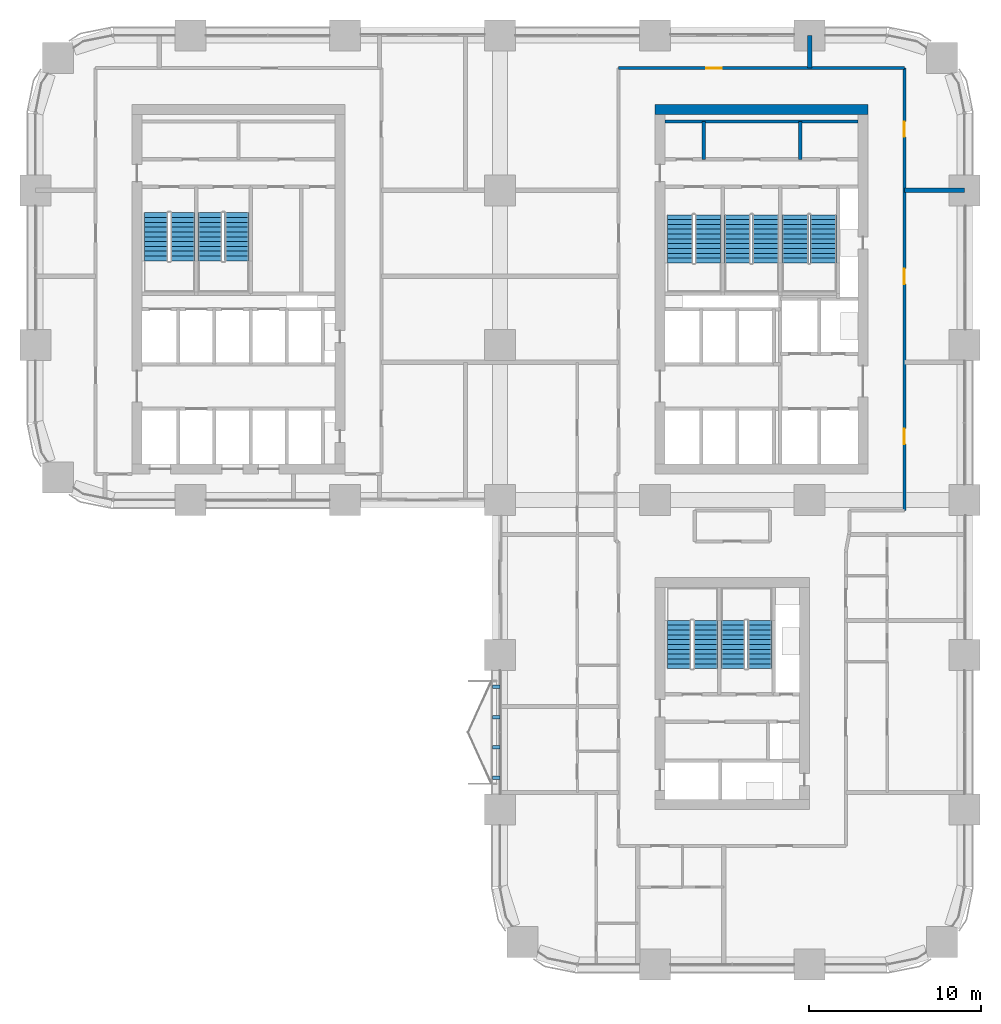
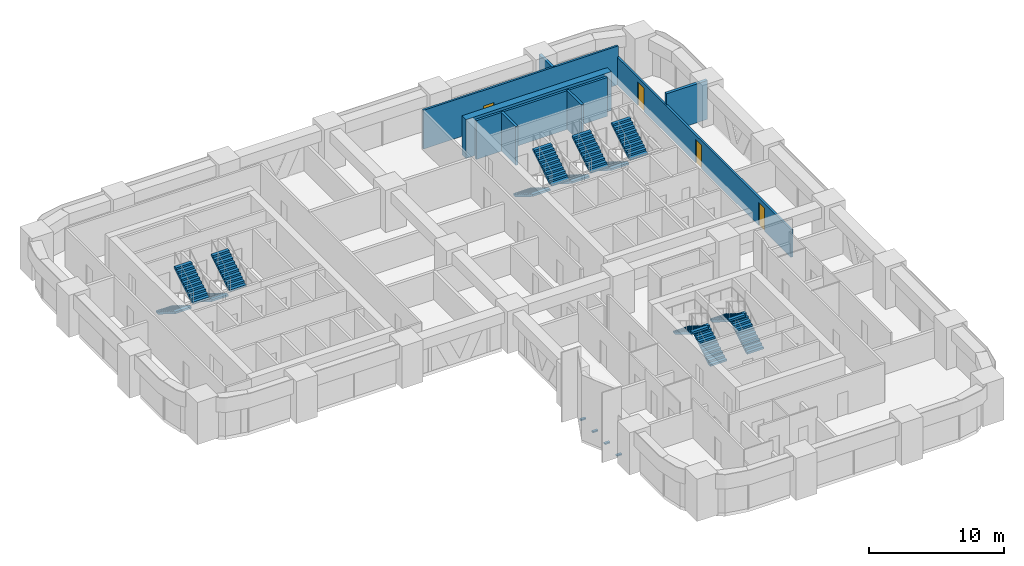
# One storey, part 17 of 19: 14 stair flights, 8 walls, 4 discrete accessories, 4 doors, 4 openings, 7 elements without a shape of their own.
"""IFC4 building model written with IfcOpenShell, lengths in metres."""

from ifc_helpers import new_model, si_unit, direction, frame, frame_2d, origin, origin_2d, place, context, subcontext, project, spatial, polyline, rectangle, outline, extrude, material, layer, layer_set, type_object, element, fill, aggregate, save


model = new_model("IFC4")

# Units and contexts
model_context = context("Model", 3, precision=1e-05, world=origin(), true_north=direction((0.0, 1.0)))
body_context = subcontext(model_context, "Body", "Model", "MODEL_VIEW")
ifc_project = project(units=[si_unit("LENGTHUNIT", "METRE"), si_unit("AREAUNIT", "SQUARE_METRE"), si_unit("VOLUMEUNIT", "CUBIC_METRE"), si_unit("PLANEANGLEUNIT", "RADIAN"), si_unit("MASSUNIT", "GRAM", prefix="KILO")], contexts=[model_context])

# Site, building, storey
site_placement = place(None, origin())
site = spatial("IfcSite", under=ifc_project, at=site_placement, CompositionType="ELEMENT")
building_placement = place(site_placement, origin())
building = spatial("IfcBuilding", under=site, at=building_placement, Name="Tessera Arch", CompositionType="ELEMENT")
storey_placement = place(building_placement, frame((0.0, 0.0, 85.39990234375)))
storey = spatial("IfcBuildingStorey", under=building, at=storey_placement, Name="L19", CompositionType="ELEMENT", Elevation=85.39990234375)

# Walls
ifc_material_1 = material(Name="Gypsum board on steel stud", Category="steel")
ifc_layer_1 = layer(ifc_material_1, 0.125)
ifc_layer_set_1 = layer_set([ifc_layer_1], Name="Core partition 125 EI 60")
wall_type_1 = type_object("IfcWallType", Name="Core partition 125 EI 60", PredefinedType="PARTITIONING", material=ifc_layer_set_1)
for number, where, z_axis, x_axis, name in (
    (1, (38.840087890625, 46.800048828125, 0.0), (0.0, 0.0, 1.0), (0.0, 1.0, 0.0), "L19 C1 partition wall 3"),
    (2, (44.43994140625, 46.800048828125, 0.0), (0.0, 0.0, 1.0), (0.0, 1.0, 0.0), "L19 C1 partition wall 13"),
):
    element("IfcWall", number, at=place(storey_placement, frame(where, z_axis=z_axis, x_axis=x_axis)), inside=storey, type_object=wall_type_1, Name=name, PredefinedType="PARTITIONING", context=body_context, shape_type="SweptSolid", body=[
        extrude(rectangle(XDim=2.199951171875, YDim=0.199951171875, at=frame_2d((1.10009765625, 0.0))), origin(), (0.0, 0.0, 1.0), 3.5),
    ])
wall_1_placement = place(storey_placement, frame((36.60009765625, 49.0, 0.0), z_axis=(0.0, 0.0, 1.0), x_axis=(1.0, 0.0, 0.0)))
element("IfcWall", 3, at=wall_1_placement, inside=storey, type_object=wall_type_1, Name="L19 C1 partition wall 33", PredefinedType="PARTITIONING", context=body_context, shape_type="SweptSolid", body=[
    extrude(rectangle(XDim=11.199951171875, YDim=0.199951171875, at=frame_2d((5.60009765625, 0.0))), origin(), (0.0, 0.0, 1.0), 3.5),
])
ifc_material_2 = material(Name="Concrete C70/85", Category="concrete")
ifc_layer_2 = layer(ifc_material_2, 0.60009765625)
ifc_layer_set_2 = layer_set([ifc_layer_2], Name="Core shell wall 600 C70-85")
wall_type_2 = type_object("IfcWallType", Name="Core shell wall 600 C70-85", PredefinedType="SHEAR", material=ifc_layer_set_2)
wall_2_placement = place(storey_placement, frame((36.0, 49.699951171875, 0.0), z_axis=(0.0, 0.0, 1.0), x_axis=(1.0, 0.0, 0.0)))
element("IfcWall", 4, at=wall_2_placement, inside=storey, type_object=wall_type_2, Name="L19 C1 core wall N", PredefinedType="SHEAR", context=body_context, shape_type="SweptSolid", body=[
    extrude(rectangle(XDim=12.39990234375, YDim=0.60009765625, at=frame_2d((6.199951171875, 0.0))), origin(), (0.0, 0.0, 1.0), 3.5),
])

# Wall, opening, door
ifc_material_3 = material(Name="Gypsum board on deep steel stud with mineral wool", Category="steel")
ifc_layer_3 = layer(ifc_material_3, 0.175048828125)
ifc_layer_set_3 = layer_set([ifc_layer_3], Name="Corridor wall 175 EI 60")
wall_type_3 = type_object("IfcWallType", Name="Corridor wall 175 EI 60", PredefinedType="PARTITIONING", material=ifc_layer_set_3)
wall_3_placement = place(storey_placement, frame((33.89990234375, 52.10009765625, 0.0), z_axis=(0.0, 0.0, 1.0), x_axis=(1.0, 0.0, 0.0)))
wall_3 = element("IfcWall", 5, at=wall_3_placement, inside=storey, type_object=wall_type_3, Name="L19 partition 10", PredefinedType="PARTITIONING", context=body_context, shape_type="SweptSolid", body=[
    extrude(rectangle(XDim=16.60009765625, YDim=0.175048828125, at=frame_2d((8.300048828125, 0.0))), origin(), (0.0, 0.0, 1.0), 3.5),
])
opening_1_placement = place(wall_3_placement, frame((5.10009765625, 0.0, 0.0)))
opening_1 = element("IfcOpeningElement", 6, at=opening_1_placement, cuts=wall_3, Name="Opening L19-D036", PredefinedType="OPENING", context=body_context, shape_type="SweptSolid", body=[
    extrude(rectangle(XDim=0.89990234375, YDim=2.10009765625, at=frame_2d((0.449951171875, 1.050048828125))), frame((0.0, 0.097412109375, 0.0), z_axis=(0.0, -1.0, 0.0), x_axis=(1.0, 0.0, 0.0)), (0.0, 0.0, 1.0), 0.195068359375),
])
ifc_material_4 = material(Name="Timber door leaf", Category="wood")
door_type = type_object("IfcDoorType", Name="Room door 900 x 2100", OperationType="SINGLE_SWING_LEFT", PredefinedType="DOOR", material=ifc_material_4)
door_1_placement = place(opening_1_placement, origin())
door_1 = element("IfcDoor", 7, at=door_1_placement, inside=storey, type_object=door_type, Name="L19 door D036 type D01", OperationType="SINGLE_SWING_RIGHT", OverallHeight=2.10009765625, OverallWidth=0.89990234375, PredefinedType="DOOR", context=body_context, shape_type="SweptSolid", body=[
    extrude(rectangle(XDim=0.89990234375, YDim=2.10009765625, at=frame_2d((0.449951171875, 1.050048828125))), frame((0.0, 0.02490234375, 0.0), z_axis=(0.0, -1.0, 0.0), x_axis=(1.0, 0.0, 0.0)), (0.0, 0.0, 1.0), 0.050048828125),
])
fill(opening_1, door_1)

# Wall, openings, doors
wall_4_placement = place(storey_placement, frame((50.5, 26.39990234375, 0.0), z_axis=(0.0, 0.0, 1.0), x_axis=(0.0, 1.0, 0.0)))
wall_4 = element("IfcWall", 8, at=wall_4_placement, inside=storey, type_object=wall_type_3, Name="L19 partition 20", PredefinedType="PARTITIONING", context=body_context, shape_type="SweptSolid", body=[
    extrude(rectangle(XDim=25.7001953125, YDim=0.175048828125, at=frame_2d((12.85009765625, 0.0))), origin(), (0.0, 0.0, 1.0), 2.5),
])
opening_2_placement = place(wall_4_placement, frame((3.85009765625, 0.0, 0.0)))
opening_2 = element("IfcOpeningElement", 9, at=opening_2_placement, cuts=wall_4, Name="Opening L19-D023", PredefinedType="OPENING", context=body_context, shape_type="SweptSolid", body=[
    extrude(rectangle(XDim=0.89990234375, YDim=2.10009765625, at=frame_2d((0.449951171875, 1.050048828125))), frame((0.0, 0.097412109375, 0.0), z_axis=(0.0, -1.0, 0.0), x_axis=(1.0, 0.0, 0.0)), (0.0, 0.0, 1.0), 0.195068359375),
])
opening_3_placement = place(wall_4_placement, frame((13.14990234375, 0.0, 0.0)))
opening_3 = element("IfcOpeningElement", 10, at=opening_3_placement, cuts=wall_4, Name="Opening L19-D030", PredefinedType="OPENING", context=body_context, shape_type="SweptSolid", body=[
    extrude(rectangle(XDim=0.89990234375, YDim=2.10009765625, at=frame_2d((0.449951171875, 1.050048828125))), frame((0.0, 0.097412109375, 0.0), z_axis=(0.0, -1.0, 0.0), x_axis=(1.0, 0.0, 0.0)), (0.0, 0.0, 1.0), 0.195068359375),
])
opening_4_placement = place(wall_4_placement, frame((21.699951171875, 0.0, 0.0)))
opening_4 = element("IfcOpeningElement", 11, at=opening_4_placement, cuts=wall_4, Name="Opening L19-D035", PredefinedType="OPENING", context=body_context, shape_type="SweptSolid", body=[
    extrude(rectangle(XDim=0.89990234375, YDim=2.10009765625, at=frame_2d((0.449951171875, 1.050048828125))), frame((0.0, 0.097412109375, 0.0), z_axis=(0.0, -1.0, 0.0), x_axis=(1.0, 0.0, 0.0)), (0.0, 0.0, 1.0), 0.195068359375),
])
door_2_placement = place(opening_2_placement, origin())
door_2 = element("IfcDoor", 12, at=door_2_placement, inside=storey, type_object=door_type, Name="L19 door D023 type D01", OperationType="SINGLE_SWING_RIGHT", OverallHeight=2.10009765625, OverallWidth=0.89990234375, PredefinedType="DOOR", context=body_context, shape_type="SweptSolid", body=[
    extrude(rectangle(XDim=0.89990234375, YDim=2.10009765625, at=frame_2d((0.449951171875, 1.050048828125))), frame((0.0, 0.02490234375, 0.0), z_axis=(0.0, -1.0, 0.0), x_axis=(1.0, 0.0, 0.0)), (0.0, 0.0, 1.0), 0.050048828125),
])
fill(opening_2, door_2)
door_3_placement = place(opening_3_placement, origin())
door_3 = element("IfcDoor", 13, at=door_3_placement, inside=storey, type_object=door_type, Name="L19 door D030 type D01", OperationType="SINGLE_SWING_LEFT", OverallHeight=2.10009765625, OverallWidth=0.89990234375, PredefinedType="DOOR", context=body_context, shape_type="SweptSolid", body=[
    extrude(rectangle(XDim=0.89990234375, YDim=2.10009765625, at=frame_2d((0.449951171875, 1.050048828125))), frame((0.0, 0.02490234375, 0.0), z_axis=(0.0, -1.0, 0.0), x_axis=(1.0, 0.0, 0.0)), (0.0, 0.0, 1.0), 0.050048828125),
])
fill(opening_3, door_3)
door_4_placement = place(opening_4_placement, origin())
door_4 = element("IfcDoor", 14, at=door_4_placement, inside=storey, type_object=door_type, Name="L19 door D035 type D01", OperationType="SINGLE_SWING_RIGHT", OverallHeight=2.10009765625, OverallWidth=0.89990234375, PredefinedType="DOOR", context=body_context, shape_type="SweptSolid", body=[
    extrude(rectangle(XDim=0.89990234375, YDim=2.10009765625, at=frame_2d((0.449951171875, 1.050048828125))), frame((0.0, 0.02490234375, 0.0), z_axis=(0.0, -1.0, 0.0), x_axis=(1.0, 0.0, 0.0)), (0.0, 0.0, 1.0), 0.050048828125),
])
fill(opening_4, door_4)

# Walls
ifc_material_5 = material(Name="Double gypsum board on twin steel stud with acoustic mineral wool", Category="steel")
ifc_layer_4 = layer(ifc_material_5, 0.25)
ifc_layer_set_4 = layer_set([ifc_layer_4], Name="Party wall 250 EI 60")
wall_type_4 = type_object("IfcWallType", Name="Party wall 250 EI 60", PredefinedType="PARTITIONING", material=ifc_layer_set_4)
wall_5_placement = place(storey_placement, frame((50.5, 45.0, 0.0), z_axis=(0.0, 0.0, 1.0), x_axis=(1.0, 0.0, 0.0)))
element("IfcWall", 15, at=wall_5_placement, inside=storey, type_object=wall_type_4, Name="L19 partition 40", PredefinedType="PARTITIONING", context=body_context, shape_type="SweptSolid", body=[
    extrude(rectangle(XDim=3.5, YDim=0.25, at=frame_2d((1.75, 0.0))), origin(), (0.0, 0.0, 1.0), 3.5),
])
wall_6_placement = place(storey_placement, frame((45.0, 52.10009765625, 0.0), z_axis=(0.0, 0.0, 1.0), x_axis=(0.0, 1.0, 0.0)))
element("IfcWall", 16, at=wall_6_placement, inside=storey, type_object=wall_type_4, Name="L19 partition 50", PredefinedType="PARTITIONING", context=body_context, shape_type="SweptSolid", body=[
    extrude(rectangle(XDim=1.89990234375, YDim=0.25, at=frame_2d((0.949951171875, 0.0))), origin(), (0.0, 0.0, 1.0), 3.5),
])

# Stair, stair flights
ifc_material_6 = material(Name="Concrete C40/50", Category="concrete")
stair_type_1 = type_object("IfcStairType", Name="Dogleg stair 1400", PredefinedType="HALF_TURN_STAIR", material=ifc_material_6)
stair_1_placement = place(storey_placement, origin())
stair_1 = element("IfcStair", 17, at=stair_1_placement, inside=storey, type_object=stair_type_1, Name="L19 S2a", PredefinedType="HALF_TURN_STAIR")
ifc_material_7 = material(Name="Concrete C40/50", Category="concrete")
stair_flight_type_1 = type_object("IfcStairFlightType", Name="Stair flight 1400", PredefinedType="STRAIGHT", material=ifc_material_7)
stair_flight_1_placement = place(storey_placement, frame((7.0, 43.699951171875, 0.0), z_axis=(0.0, 0.0, 1.0), x_axis=(0.0, -1.0, 0.0)))
stair_flight_1 = element("IfcStairFlight", 18, at=stair_flight_1_placement, type_object=stair_flight_type_1, Name="S2a flight 1", NumberOfRisers=11, NumberOfTreads=10, PredefinedType="STRAIGHT", RiserHeight=0.172727273, TreadLength=0.28, context=body_context, shape_type="SweptSolid", body=[
    extrude(outline(polyline([(0.0, 0.0), (0.0, 0.172607421875), (0.280029296875, 0.172607421875), (0.280029296875, 0.345458984375), (0.56005859375, 0.345458984375), (0.56005859375, 0.51806640625), (0.840087890625, 0.51806640625), (0.840087890625, 0.69091796875), (1.1201171875, 0.69091796875), (1.1201171875, 0.863525390625), (1.39990234375, 0.863525390625), (1.39990234375, 1.036376953125), (1.679931640625, 1.036376953125), (1.679931640625, 1.208984375), (1.9599609375, 1.208984375), (1.9599609375, 1.3818359375), (2.239990234375, 1.3818359375), (2.239990234375, 1.554443359375), (2.52001953125, 1.554443359375), (2.52001953125, 1.727294921875), (2.800048828125, 1.727294921875), (2.800048828125, 1.89990234375), (2.800048828125, 1.551025390625), (0.285400390625, 0.0), (0.0, 0.0)])), frame((0.0, 0.699951171875, 0.0), z_axis=(0.0, -1.0, 0.0), x_axis=(1.0, 0.0, 0.0)), (0.0, 0.0, 1.0), 1.39990234375),
])
stair_flight_2_placement = place(storey_placement, frame((8.550048828125, 40.89990234375, 1.900146484375), z_axis=(0.0, 0.0, 1.0), x_axis=(0.0, 1.0, 0.0)))
stair_flight_2 = element("IfcStairFlight", 19, at=stair_flight_2_placement, type_object=stair_flight_type_1, Name="S2a flight 2", NumberOfRisers=11, NumberOfTreads=10, PredefinedType="STRAIGHT", RiserHeight=0.172727273, TreadLength=0.28, context=body_context, shape_type="SweptSolid", body=[
    extrude(outline(polyline([(0.0, 0.0), (0.0, 0.172607421875), (0.280029296875, 0.172607421875), (0.280029296875, 0.345458984375), (0.56005859375, 0.345458984375), (0.56005859375, 0.51806640625), (0.840087890625, 0.51806640625), (0.840087890625, 0.69091796875), (1.1201171875, 0.69091796875), (1.1201171875, 0.863525390625), (1.39990234375, 0.863525390625), (1.39990234375, 1.036376953125), (1.679931640625, 1.036376953125), (1.679931640625, 1.208984375), (1.9599609375, 1.208984375), (1.9599609375, 1.3818359375), (2.239990234375, 1.3818359375), (2.239990234375, 1.554443359375), (2.52001953125, 1.554443359375), (2.52001953125, 1.727294921875), (2.800048828125, 1.727294921875), (2.800048828125, 1.89990234375), (2.800048828125, 1.551025390625), (0.285400390625, 0.0), (0.0, 0.0)])), frame((0.0, 0.699951171875, 0.0), z_axis=(0.0, -1.0, 0.0), x_axis=(1.0, 0.0, 0.0)), (0.0, 0.0, 1.0), 1.39990234375),
])
aggregate(stair_1, [stair_flight_1, stair_flight_2])

stair_2_placement = place(storey_placement, origin())
stair_2 = element("IfcStair", 20, at=stair_2_placement, inside=storey, type_object=stair_type_1, Name="L19 S2b", PredefinedType="HALF_TURN_STAIR")
stair_flight_3_placement = place(storey_placement, frame((10.14990234375, 43.699951171875, 0.0), z_axis=(0.0, 0.0, 1.0), x_axis=(0.0, -1.0, 0.0)))
stair_flight_3 = element("IfcStairFlight", 21, at=stair_flight_3_placement, type_object=stair_flight_type_1, Name="S2b flight 1", NumberOfRisers=11, NumberOfTreads=10, PredefinedType="STRAIGHT", RiserHeight=0.172727273, TreadLength=0.28, context=body_context, shape_type="SweptSolid", body=[
    extrude(outline(polyline([(0.0, 0.0), (0.0, 0.172607421875), (0.280029296875, 0.172607421875), (0.280029296875, 0.345458984375), (0.56005859375, 0.345458984375), (0.56005859375, 0.51806640625), (0.840087890625, 0.51806640625), (0.840087890625, 0.69091796875), (1.1201171875, 0.69091796875), (1.1201171875, 0.863525390625), (1.39990234375, 0.863525390625), (1.39990234375, 1.036376953125), (1.679931640625, 1.036376953125), (1.679931640625, 1.208984375), (1.9599609375, 1.208984375), (1.9599609375, 1.3818359375), (2.239990234375, 1.3818359375), (2.239990234375, 1.554443359375), (2.52001953125, 1.554443359375), (2.52001953125, 1.727294921875), (2.800048828125, 1.727294921875), (2.800048828125, 1.89990234375), (2.800048828125, 1.551025390625), (0.285400390625, 0.0), (0.0, 0.0)])), frame((0.0, 0.699951171875, 0.0), z_axis=(0.0, -1.0, 0.0), x_axis=(1.0, 0.0, 0.0)), (0.0, 0.0, 1.0), 1.39990234375),
])
stair_flight_4_placement = place(storey_placement, frame((11.699951171875, 40.89990234375, 1.900146484375), z_axis=(0.0, 0.0, 1.0), x_axis=(0.0, 1.0, 0.0)))
stair_flight_4 = element("IfcStairFlight", 22, at=stair_flight_4_placement, type_object=stair_flight_type_1, Name="S2b flight 2", NumberOfRisers=11, NumberOfTreads=10, PredefinedType="STRAIGHT", RiserHeight=0.172727273, TreadLength=0.28, context=body_context, shape_type="SweptSolid", body=[
    extrude(outline(polyline([(0.0, 0.0), (0.0, 0.172607421875), (0.280029296875, 0.172607421875), (0.280029296875, 0.345458984375), (0.56005859375, 0.345458984375), (0.56005859375, 0.51806640625), (0.840087890625, 0.51806640625), (0.840087890625, 0.69091796875), (1.1201171875, 0.69091796875), (1.1201171875, 0.863525390625), (1.39990234375, 0.863525390625), (1.39990234375, 1.036376953125), (1.679931640625, 1.036376953125), (1.679931640625, 1.208984375), (1.9599609375, 1.208984375), (1.9599609375, 1.3818359375), (2.239990234375, 1.3818359375), (2.239990234375, 1.554443359375), (2.52001953125, 1.554443359375), (2.52001953125, 1.727294921875), (2.800048828125, 1.727294921875), (2.800048828125, 1.89990234375), (2.800048828125, 1.551025390625), (0.285400390625, 0.0), (0.0, 0.0)])), frame((0.0, 0.699951171875, 0.0), z_axis=(0.0, -1.0, 0.0), x_axis=(1.0, 0.0, 0.0)), (0.0, 0.0, 1.0), 1.39990234375),
])
aggregate(stair_2, [stair_flight_3, stair_flight_4])

stair_3_placement = place(storey_placement, origin())
stair_3 = element("IfcStair", 23, at=stair_3_placement, inside=storey, type_object=stair_type_1, Name="L19 S3a", PredefinedType="HALF_TURN_STAIR")
stair_flight_5_placement = place(storey_placement, frame((38.949951171875, 17.199951171875, 0.0), z_axis=(0.0, 0.0, 1.0), x_axis=(0.0, 1.0, 0.0)))
stair_flight_5 = element("IfcStairFlight", 24, at=stair_flight_5_placement, type_object=stair_flight_type_1, Name="S3a flight 1", NumberOfRisers=11, NumberOfTreads=10, PredefinedType="STRAIGHT", RiserHeight=0.172727273, TreadLength=0.28, context=body_context, shape_type="SweptSolid", body=[
    extrude(outline(polyline([(0.0, 0.0), (0.0, 0.172607421875), (0.280029296875, 0.172607421875), (0.280029296875, 0.345458984375), (0.56005859375, 0.345458984375), (0.56005859375, 0.51806640625), (0.840087890625, 0.51806640625), (0.840087890625, 0.69091796875), (1.1201171875, 0.69091796875), (1.1201171875, 0.863525390625), (1.39990234375, 0.863525390625), (1.39990234375, 1.036376953125), (1.679931640625, 1.036376953125), (1.679931640625, 1.208984375), (1.9599609375, 1.208984375), (1.9599609375, 1.3818359375), (2.239990234375, 1.3818359375), (2.239990234375, 1.554443359375), (2.52001953125, 1.554443359375), (2.52001953125, 1.727294921875), (2.800048828125, 1.727294921875), (2.800048828125, 1.89990234375), (2.800048828125, 1.551025390625), (0.285400390625, 0.0), (0.0, 0.0)])), frame((0.0, 0.699951171875, 0.0), z_axis=(0.0, -1.0, 0.0), x_axis=(1.0, 0.0, 0.0)), (0.0, 0.0, 1.0), 1.39990234375),
])
stair_flight_6_placement = place(storey_placement, frame((37.39990234375, 20.0, 1.900146484375), z_axis=(0.0, 0.0, 1.0), x_axis=(0.0, -1.0, 0.0)))
stair_flight_6 = element("IfcStairFlight", 25, at=stair_flight_6_placement, type_object=stair_flight_type_1, Name="S3a flight 2", NumberOfRisers=11, NumberOfTreads=10, PredefinedType="STRAIGHT", RiserHeight=0.172727273, TreadLength=0.28, context=body_context, shape_type="SweptSolid", body=[
    extrude(outline(polyline([(0.0, 0.0), (0.0, 0.172607421875), (0.280029296875, 0.172607421875), (0.280029296875, 0.345458984375), (0.56005859375, 0.345458984375), (0.56005859375, 0.51806640625), (0.840087890625, 0.51806640625), (0.840087890625, 0.69091796875), (1.1201171875, 0.69091796875), (1.1201171875, 0.863525390625), (1.39990234375, 0.863525390625), (1.39990234375, 1.036376953125), (1.679931640625, 1.036376953125), (1.679931640625, 1.208984375), (1.9599609375, 1.208984375), (1.9599609375, 1.3818359375), (2.239990234375, 1.3818359375), (2.239990234375, 1.554443359375), (2.52001953125, 1.554443359375), (2.52001953125, 1.727294921875), (2.800048828125, 1.727294921875), (2.800048828125, 1.89990234375), (2.800048828125, 1.551025390625), (0.285400390625, 0.0), (0.0, 0.0)])), frame((0.0, 0.699951171875, 0.0), z_axis=(0.0, -1.0, 0.0), x_axis=(1.0, 0.0, 0.0)), (0.0, 0.0, 1.0), 1.39990234375),
])
aggregate(stair_3, [stair_flight_5, stair_flight_6])

stair_4_placement = place(storey_placement, origin())
stair_4 = element("IfcStair", 26, at=stair_4_placement, inside=storey, type_object=stair_type_1, Name="L19 S3b", PredefinedType="HALF_TURN_STAIR")
stair_flight_7_placement = place(storey_placement, frame((42.10009765625, 17.199951171875, 0.0), z_axis=(0.0, 0.0, 1.0), x_axis=(0.0, 1.0, 0.0)))
stair_flight_7 = element("IfcStairFlight", 27, at=stair_flight_7_placement, type_object=stair_flight_type_1, Name="S3b flight 1", NumberOfRisers=11, NumberOfTreads=10, PredefinedType="STRAIGHT", RiserHeight=0.172727273, TreadLength=0.28, context=body_context, shape_type="SweptSolid", body=[
    extrude(outline(polyline([(0.0, 0.0), (0.0, 0.172607421875), (0.280029296875, 0.172607421875), (0.280029296875, 0.345458984375), (0.56005859375, 0.345458984375), (0.56005859375, 0.51806640625), (0.840087890625, 0.51806640625), (0.840087890625, 0.69091796875), (1.1201171875, 0.69091796875), (1.1201171875, 0.863525390625), (1.39990234375, 0.863525390625), (1.39990234375, 1.036376953125), (1.679931640625, 1.036376953125), (1.679931640625, 1.208984375), (1.9599609375, 1.208984375), (1.9599609375, 1.3818359375), (2.239990234375, 1.3818359375), (2.239990234375, 1.554443359375), (2.52001953125, 1.554443359375), (2.52001953125, 1.727294921875), (2.800048828125, 1.727294921875), (2.800048828125, 1.89990234375), (2.800048828125, 1.551025390625), (0.285400390625, 0.0), (0.0, 0.0)])), frame((0.0, 0.699951171875, 0.0), z_axis=(0.0, -1.0, 0.0), x_axis=(1.0, 0.0, 0.0)), (0.0, 0.0, 1.0), 1.39990234375),
])
stair_flight_8_placement = place(storey_placement, frame((40.550048828125, 20.0, 1.900146484375), z_axis=(0.0, 0.0, 1.0), x_axis=(0.0, -1.0, 0.0)))
stair_flight_8 = element("IfcStairFlight", 28, at=stair_flight_8_placement, type_object=stair_flight_type_1, Name="S3b flight 2", NumberOfRisers=11, NumberOfTreads=10, PredefinedType="STRAIGHT", RiserHeight=0.172727273, TreadLength=0.28, context=body_context, shape_type="SweptSolid", body=[
    extrude(outline(polyline([(0.0, 0.0), (0.0, 0.172607421875), (0.280029296875, 0.172607421875), (0.280029296875, 0.345458984375), (0.56005859375, 0.345458984375), (0.56005859375, 0.51806640625), (0.840087890625, 0.51806640625), (0.840087890625, 0.69091796875), (1.1201171875, 0.69091796875), (1.1201171875, 0.863525390625), (1.39990234375, 0.863525390625), (1.39990234375, 1.036376953125), (1.679931640625, 1.036376953125), (1.679931640625, 1.208984375), (1.9599609375, 1.208984375), (1.9599609375, 1.3818359375), (2.239990234375, 1.3818359375), (2.239990234375, 1.554443359375), (2.52001953125, 1.554443359375), (2.52001953125, 1.727294921875), (2.800048828125, 1.727294921875), (2.800048828125, 1.89990234375), (2.800048828125, 1.551025390625), (0.285400390625, 0.0), (0.0, 0.0)])), frame((0.0, 0.699951171875, 0.0), z_axis=(0.0, -1.0, 0.0), x_axis=(1.0, 0.0, 0.0)), (0.0, 0.0, 1.0), 1.39990234375),
])
aggregate(stair_4, [stair_flight_7, stair_flight_8])

ifc_material_8 = material(Name="Concrete C40/50", Category="concrete")
stair_type_2 = type_object("IfcStairType", Name="Dogleg stair 1520", PredefinedType="HALF_TURN_STAIR", material=ifc_material_8)
stair_5_placement = place(storey_placement, origin())
stair_5 = element("IfcStair", 29, at=stair_5_placement, inside=storey, type_object=stair_type_2, Name="L19 S1a", PredefinedType="HALF_TURN_STAIR")
ifc_material_9 = material(Name="Concrete C40/50", Category="concrete")
stair_flight_type_2 = type_object("IfcStairFlightType", Name="Stair flight 1520", PredefinedType="STRAIGHT", material=ifc_material_9)
stair_flight_9_placement = place(storey_placement, frame((37.4599609375, 43.580078125, 0.0), z_axis=(0.0, 0.0, 1.0), x_axis=(0.0, -1.0, 0.0)))
stair_flight_9 = element("IfcStairFlight", 30, at=stair_flight_9_placement, type_object=stair_flight_type_2, Name="S1a flight 1", NumberOfRisers=11, NumberOfTreads=10, PredefinedType="STRAIGHT", RiserHeight=0.172727273, TreadLength=0.28, context=body_context, shape_type="SweptSolid", body=[
    extrude(outline(polyline([(0.0, 0.0), (0.0, 0.172607421875), (0.280029296875, 0.172607421875), (0.280029296875, 0.345458984375), (0.56005859375, 0.345458984375), (0.56005859375, 0.51806640625), (0.840087890625, 0.51806640625), (0.840087890625, 0.69091796875), (1.1201171875, 0.69091796875), (1.1201171875, 0.863525390625), (1.39990234375, 0.863525390625), (1.39990234375, 1.036376953125), (1.679931640625, 1.036376953125), (1.679931640625, 1.208984375), (1.9599609375, 1.208984375), (1.9599609375, 1.3818359375), (2.239990234375, 1.3818359375), (2.239990234375, 1.554443359375), (2.52001953125, 1.554443359375), (2.52001953125, 1.727294921875), (2.800048828125, 1.727294921875), (2.800048828125, 1.89990234375), (2.800048828125, 1.551025390625), (0.285400390625, 0.0), (0.0, 0.0)])), frame((0.0, 0.760009765625, 0.0), z_axis=(0.0, -1.0, 0.0), x_axis=(1.0, 0.0, 0.0)), (0.0, 0.0, 1.0), 1.52001953125),
])
stair_flight_10_placement = place(storey_placement, frame((39.090087890625, 40.780029296875, 1.900146484375), z_axis=(0.0, 0.0, 1.0), x_axis=(0.0, 1.0, 0.0)))
stair_flight_10 = element("IfcStairFlight", 31, at=stair_flight_10_placement, type_object=stair_flight_type_2, Name="S1a flight 2", NumberOfRisers=11, NumberOfTreads=10, PredefinedType="STRAIGHT", RiserHeight=0.172727273, TreadLength=0.28, context=body_context, shape_type="SweptSolid", body=[
    extrude(outline(polyline([(0.0, 0.0), (0.0, 0.172607421875), (0.280029296875, 0.172607421875), (0.280029296875, 0.345458984375), (0.56005859375, 0.345458984375), (0.56005859375, 0.51806640625), (0.840087890625, 0.51806640625), (0.840087890625, 0.69091796875), (1.1201171875, 0.69091796875), (1.1201171875, 0.863525390625), (1.39990234375, 0.863525390625), (1.39990234375, 1.036376953125), (1.679931640625, 1.036376953125), (1.679931640625, 1.208984375), (1.9599609375, 1.208984375), (1.9599609375, 1.3818359375), (2.239990234375, 1.3818359375), (2.239990234375, 1.554443359375), (2.52001953125, 1.554443359375), (2.52001953125, 1.727294921875), (2.800048828125, 1.727294921875), (2.800048828125, 1.89990234375), (2.800048828125, 1.551025390625), (0.285400390625, 0.0), (0.0, 0.0)])), frame((0.0, 0.760009765625, 0.0), z_axis=(0.0, -1.0, 0.0), x_axis=(1.0, 0.0, 0.0)), (0.0, 0.0, 1.0), 1.52001953125),
])
aggregate(stair_5, [stair_flight_9, stair_flight_10])

stair_6_placement = place(storey_placement, origin())
stair_6 = element("IfcStair", 32, at=stair_6_placement, inside=storey, type_object=stair_type_2, Name="L19 S1b", PredefinedType="HALF_TURN_STAIR")
stair_flight_11_placement = place(storey_placement, frame((40.81005859375, 43.580078125, 0.0), z_axis=(0.0, 0.0, 1.0), x_axis=(0.0, -1.0, 0.0)))
stair_flight_11 = element("IfcStairFlight", 33, at=stair_flight_11_placement, type_object=stair_flight_type_2, Name="S1b flight 1", NumberOfRisers=11, NumberOfTreads=10, PredefinedType="STRAIGHT", RiserHeight=0.172727273, TreadLength=0.28, context=body_context, shape_type="SweptSolid", body=[
    extrude(outline(polyline([(0.0, 0.0), (0.0, 0.172607421875), (0.280029296875, 0.172607421875), (0.280029296875, 0.345458984375), (0.56005859375, 0.345458984375), (0.56005859375, 0.51806640625), (0.840087890625, 0.51806640625), (0.840087890625, 0.69091796875), (1.1201171875, 0.69091796875), (1.1201171875, 0.863525390625), (1.39990234375, 0.863525390625), (1.39990234375, 1.036376953125), (1.679931640625, 1.036376953125), (1.679931640625, 1.208984375), (1.9599609375, 1.208984375), (1.9599609375, 1.3818359375), (2.239990234375, 1.3818359375), (2.239990234375, 1.554443359375), (2.52001953125, 1.554443359375), (2.52001953125, 1.727294921875), (2.800048828125, 1.727294921875), (2.800048828125, 1.89990234375), (2.800048828125, 1.551025390625), (0.285400390625, 0.0), (0.0, 0.0)])), frame((0.0, 0.760009765625, 0.0), z_axis=(0.0, -1.0, 0.0), x_axis=(1.0, 0.0, 0.0)), (0.0, 0.0, 1.0), 1.52001953125),
])
stair_flight_12_placement = place(storey_placement, frame((42.43994140625, 40.780029296875, 1.900146484375), z_axis=(0.0, 0.0, 1.0), x_axis=(0.0, 1.0, 0.0)))
stair_flight_12 = element("IfcStairFlight", 34, at=stair_flight_12_placement, type_object=stair_flight_type_2, Name="S1b flight 2", NumberOfRisers=11, NumberOfTreads=10, PredefinedType="STRAIGHT", RiserHeight=0.172727273, TreadLength=0.28, context=body_context, shape_type="SweptSolid", body=[
    extrude(outline(polyline([(0.0, 0.0), (0.0, 0.172607421875), (0.280029296875, 0.172607421875), (0.280029296875, 0.345458984375), (0.56005859375, 0.345458984375), (0.56005859375, 0.51806640625), (0.840087890625, 0.51806640625), (0.840087890625, 0.69091796875), (1.1201171875, 0.69091796875), (1.1201171875, 0.863525390625), (1.39990234375, 0.863525390625), (1.39990234375, 1.036376953125), (1.679931640625, 1.036376953125), (1.679931640625, 1.208984375), (1.9599609375, 1.208984375), (1.9599609375, 1.3818359375), (2.239990234375, 1.3818359375), (2.239990234375, 1.554443359375), (2.52001953125, 1.554443359375), (2.52001953125, 1.727294921875), (2.800048828125, 1.727294921875), (2.800048828125, 1.89990234375), (2.800048828125, 1.551025390625), (0.285400390625, 0.0), (0.0, 0.0)])), frame((0.0, 0.760009765625, 0.0), z_axis=(0.0, -1.0, 0.0), x_axis=(1.0, 0.0, 0.0)), (0.0, 0.0, 1.0), 1.52001953125),
])
aggregate(stair_6, [stair_flight_11, stair_flight_12])

stair_7_placement = place(storey_placement, origin())
stair_7 = element("IfcStair", 35, at=stair_7_placement, inside=storey, type_object=stair_type_2, Name="L19 S1c", PredefinedType="HALF_TURN_STAIR")
stair_flight_13_placement = place(storey_placement, frame((44.159912109375, 43.580078125, 0.0), z_axis=(0.0, 0.0, 1.0), x_axis=(0.0, -1.0, 0.0)))
stair_flight_13 = element("IfcStairFlight", 36, at=stair_flight_13_placement, type_object=stair_flight_type_2, Name="S1c flight 1", NumberOfRisers=11, NumberOfTreads=10, PredefinedType="STRAIGHT", RiserHeight=0.172727273, TreadLength=0.28, context=body_context, shape_type="SweptSolid", body=[
    extrude(outline(polyline([(0.0, 0.0), (0.0, 0.172607421875), (0.280029296875, 0.172607421875), (0.280029296875, 0.345458984375), (0.56005859375, 0.345458984375), (0.56005859375, 0.51806640625), (0.840087890625, 0.51806640625), (0.840087890625, 0.69091796875), (1.1201171875, 0.69091796875), (1.1201171875, 0.863525390625), (1.39990234375, 0.863525390625), (1.39990234375, 1.036376953125), (1.679931640625, 1.036376953125), (1.679931640625, 1.208984375), (1.9599609375, 1.208984375), (1.9599609375, 1.3818359375), (2.239990234375, 1.3818359375), (2.239990234375, 1.554443359375), (2.52001953125, 1.554443359375), (2.52001953125, 1.727294921875), (2.800048828125, 1.727294921875), (2.800048828125, 1.89990234375), (2.800048828125, 1.551025390625), (0.285400390625, 0.0), (0.0, 0.0)])), frame((0.0, 0.760009765625, 0.0), z_axis=(0.0, -1.0, 0.0), x_axis=(1.0, 0.0, 0.0)), (0.0, 0.0, 1.0), 1.52001953125),
])
stair_flight_14_placement = place(storey_placement, frame((45.7900390625, 40.780029296875, 1.900146484375), z_axis=(0.0, 0.0, 1.0), x_axis=(0.0, 1.0, 0.0)))
stair_flight_14 = element("IfcStairFlight", 37, at=stair_flight_14_placement, type_object=stair_flight_type_2, Name="S1c flight 2", NumberOfRisers=11, NumberOfTreads=10, PredefinedType="STRAIGHT", RiserHeight=0.172727273, TreadLength=0.28, context=body_context, shape_type="SweptSolid", body=[
    extrude(outline(polyline([(0.0, 0.0), (0.0, 0.172607421875), (0.280029296875, 0.172607421875), (0.280029296875, 0.345458984375), (0.56005859375, 0.345458984375), (0.56005859375, 0.51806640625), (0.840087890625, 0.51806640625), (0.840087890625, 0.69091796875), (1.1201171875, 0.69091796875), (1.1201171875, 0.863525390625), (1.39990234375, 0.863525390625), (1.39990234375, 1.036376953125), (1.679931640625, 1.036376953125), (1.679931640625, 1.208984375), (1.9599609375, 1.208984375), (1.9599609375, 1.3818359375), (2.239990234375, 1.3818359375), (2.239990234375, 1.554443359375), (2.52001953125, 1.554443359375), (2.52001953125, 1.727294921875), (2.800048828125, 1.727294921875), (2.800048828125, 1.89990234375), (2.800048828125, 1.551025390625), (0.285400390625, 0.0), (0.0, 0.0)])), frame((0.0, 0.760009765625, 0.0), z_axis=(0.0, -1.0, 0.0), x_axis=(1.0, 0.0, 0.0)), (0.0, 0.0, 1.0), 1.52001953125),
])
aggregate(stair_7, [stair_flight_13, stair_flight_14])

# Discrete accessories
for number, where, z_axis, x_axis, name in (
    (38, (26.780029296875, 16.14990234375, -0.119873046875), (0.0, 0.0, 1.0), (-1.0, 0.0, 0.0), "Window box bracket"),
    (39, (26.780029296875, 14.38330078125, -0.119873046875), (0.0, 0.0, 1.0), (-1.0, 0.0, 0.0), "Window box bracket"),
    (40, (26.780029296875, 12.61669921875, -0.119873046875), (0.0, 0.0, 1.0), (-1.0, 0.0, 0.0), "Window box bracket"),
    (41, (26.780029296875, 10.85009765625, -0.119873046875), (0.0, 0.0, 1.0), (-1.0, 0.0, 0.0), "Window box bracket"),
):
    element("IfcDiscreteAccessory", number, at=place(storey_placement, frame(where, z_axis=z_axis, x_axis=x_axis)), inside=storey, Name=name, PredefinedType="BRACKET", context=body_context, shape_type="SweptSolid", body=[
        extrude(rectangle(XDim=0.43994140625, YDim=0.199951171875, at=origin_2d()), origin(), (0.0, 0.0, 1.0), 0.1201171875),
    ])

save(model, "model.ifc")
